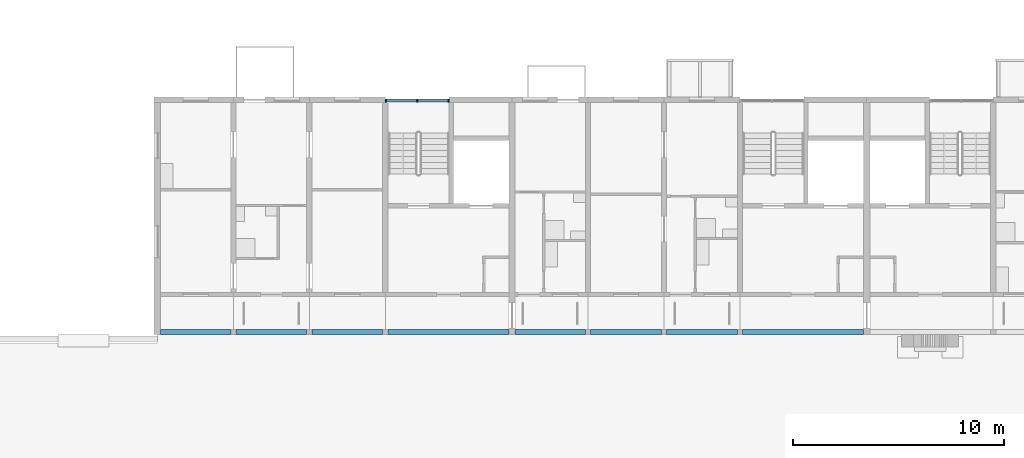
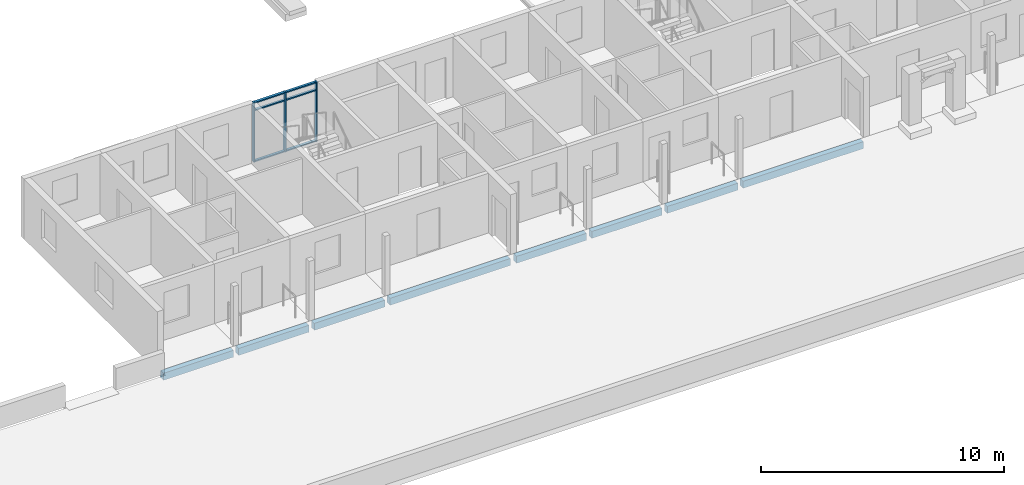
# One storey, part 10 of 115: 9 members, 8 beams, 1 element without a shape of its own.
"""IFC4 building model written with IfcOpenShell, lengths in metres."""

from ifc_helpers import new_model, si_unit, direction, frame, origin, origin_2d, place, context, subcontext, project, spatial, rectangle, extrude, material, material_profile, profile_set, type_object, element, aggregate, save


model = new_model("IFC4")

# Units and contexts
model_context = context("Model", 3, precision=1e-05, world=origin(), true_north=direction((0.0, 1.0)))
body_context = subcontext(model_context, "Body", "Model", "MODEL_VIEW")
ifc_project = project(units=[si_unit("LENGTHUNIT", "METRE"), si_unit("AREAUNIT", "SQUARE_METRE"), si_unit("VOLUMEUNIT", "CUBIC_METRE"), si_unit("PLANEANGLEUNIT", "RADIAN"), si_unit("MASSUNIT", "GRAM", prefix="KILO")], contexts=[model_context])

# Site, building, storey
site_placement = place(None, origin())
site = spatial("IfcSite", under=ifc_project, at=site_placement, CompositionType="ELEMENT")
building_placement = place(site_placement, origin())
building = spatial("IfcBuilding", under=site, at=building_placement, Name="Ridgestep Commons", CompositionType="ELEMENT")
storey_placement = place(building_placement, frame((0.0, 0.0, 6.0)))
storey = spatial("IfcBuildingStorey", under=building, at=storey_placement, Name="L02", CompositionType="ELEMENT", Elevation=6.0)

# Beams
ifc_material_1 = material(Name="Precast concrete C40/50", Category="concrete")
ifc_material_profile_1 = material_profile(ifc_material_1, rectangle(XDim=0.25, YDim=0.35009765625, at=origin_2d()), Name="PC 250x350")
ifc_profile_set_1 = profile_set([ifc_material_profile_1], Name="Precast concrete C40/50")
beam_type = type_object("IfcBeamType", Name="Loggia edge beam 250 x 350", PredefinedType="SPANDREL", material=ifc_profile_set_1)
beam_1_placement = place(storey_placement, frame((12.14990234375, 11.875, -0.375), z_axis=(1.0, 0.0, 0.0), x_axis=(0.0, 1.0, 0.0)))
element("IfcBeam", 1, at=beam_1_placement, inside=storey, type_object=beam_type, Name="Loggia edge beam A1T1 L02", PredefinedType="SPANDREL", context=body_context, shape_type="SweptSolid", body=[
    extrude(rectangle(XDim=0.25, YDim=0.35009765625, at=origin_2d()), origin(), (0.0, 0.0, 1.0), 3.3251953125),
])
beam_2_placement = place(storey_placement, frame((15.72509765625, 11.875, -0.375), z_axis=(1.0, 0.0, 0.0), x_axis=(0.0, 1.0, 0.0)))
element("IfcBeam", 2, at=beam_2_placement, inside=storey, type_object=beam_type, Name="Loggia edge beam A1T2 L02", PredefinedType="SPANDREL", context=body_context, shape_type="SweptSolid", body=[
    extrude(rectangle(XDim=0.25, YDim=0.35009765625, at=origin_2d()), origin(), (0.0, 0.0, 1.0), 3.349853515625),
])
beam_3_placement = place(storey_placement, frame((19.324951171875, 11.875, -0.375), z_axis=(1.0, 0.0, 0.0), x_axis=(0.0, 1.0, 0.0)))
element("IfcBeam", 3, at=beam_3_placement, inside=storey, type_object=beam_type, Name="Loggia edge beam A1T3 L02", PredefinedType="SPANDREL", context=body_context, shape_type="SweptSolid", body=[
    extrude(rectangle(XDim=0.25, YDim=0.35009765625, at=origin_2d()), origin(), (0.0, 0.0, 1.0), 3.35009765625),
])
beam_4_placement = place(storey_placement, frame((22.925048828125, 11.875, -0.375), z_axis=(1.0, 0.0, 0.0), x_axis=(0.0, 1.0, 0.0)))
element("IfcBeam", 4, at=beam_4_placement, inside=storey, type_object=beam_type, Name="Loggia edge beam A1C L02", PredefinedType="SPANDREL", context=body_context, shape_type="SweptSolid", body=[
    extrude(rectangle(XDim=0.25, YDim=0.35009765625, at=origin_2d()), origin(), (0.0, 0.0, 1.0), 5.724853515625),
])
beam_5_placement = place(storey_placement, frame((28.949951171875, 11.875, -0.375), z_axis=(1.0, 0.0, 0.0), x_axis=(0.0, 1.0, 0.0)))
element("IfcBeam", 5, at=beam_5_placement, inside=storey, type_object=beam_type, Name="Loggia edge beam A2T1 L02", PredefinedType="SPANDREL", context=body_context, shape_type="SweptSolid", body=[
    extrude(rectangle(XDim=0.25, YDim=0.35009765625, at=origin_2d()), origin(), (0.0, 0.0, 1.0), 3.324951171875),
])
for number, where, z_axis, x_axis, name in (
    (6, (32.52490234375, 11.875, -0.375), (1.0, 0.0, 0.0), (0.0, 1.0, 0.0), "Loggia edge beam A2T2 L02"),
    (7, (36.125, 11.875, -0.375), (1.0, 0.0, 0.0), (0.0, 1.0, 0.0), "Loggia edge beam A2T3 L02"),
):
    element("IfcBeam", number, at=place(storey_placement, frame(where, z_axis=z_axis, x_axis=x_axis)), inside=storey, type_object=beam_type, Name=name, PredefinedType="SPANDREL", context=body_context, shape_type="SweptSolid", body=[
        extrude(rectangle(XDim=0.25, YDim=0.35009765625, at=origin_2d()), origin(), (0.0, 0.0, 1.0), 3.35009765625),
    ])
beam_6_placement = place(storey_placement, frame((39.72509765625, 11.875, -0.375), z_axis=(1.0, 0.0, 0.0), x_axis=(0.0, 1.0, 0.0)))
element("IfcBeam", 8, at=beam_6_placement, inside=storey, type_object=beam_type, Name="Loggia edge beam A2C L02", PredefinedType="SPANDREL", context=body_context, shape_type="SweptSolid", body=[
    extrude(rectangle(XDim=0.25, YDim=0.35009765625, at=origin_2d()), origin(), (0.0, 0.0, 1.0), 5.724853515625),
])

# Curtain wall, members
ifc_material_2 = material(Name="Aluminium 6063-T6 and glass", Category="aluminium")
curtain_wall_type = type_object("IfcCurtainWallType", Name="Curtain wall stair strip", PredefinedType="NOTDEFINED", material=ifc_material_2)
curtain_wall_placement = place(storey_placement, origin())
curtain_wall = element("IfcCurtainWall", 9, at=curtain_wall_placement, inside=storey, type_object=curtain_wall_type, Name="Curtain wall A1C level 02", PredefinedType="NOTDEFINED")
ifc_material_3 = material(Name="Aluminium 6063-T6", Category="aluminium")
ifc_material_profile_2 = material_profile(ifc_material_3, rectangle(XDim=0.159912109375, YDim=0.06005859375, at=origin_2d()), Name="Mullion 60 x 160")
ifc_profile_set_2 = profile_set([ifc_material_profile_2], Name="Aluminium 6063-T6")
member_type_1 = type_object("IfcMemberType", Name="Mullion 60 x 160", PredefinedType="MULLION", material=ifc_profile_set_2)
member_1_placement = place(storey_placement, frame((22.830078125, 22.830078125, 0.0), z_axis=(0.0, 0.0, 1.0), x_axis=(0.0, 1.0, 0.0)))
member_1 = element("IfcMember", 10, at=member_1_placement, type_object=member_type_1, Name="CW1 mullion 1", PredefinedType="MULLION", context=body_context, shape_type="SweptSolid", body=[
    extrude(rectangle(XDim=0.159912109375, YDim=0.06005859375, at=origin_2d()), origin(), (0.0, 0.0, 1.0), 3.0),
])
member_2_placement = place(storey_placement, frame((24.3125, 22.830078125, 0.0), z_axis=(0.0, 0.0, 1.0), x_axis=(0.0, 1.0, 0.0)))
member_2 = element("IfcMember", 11, at=member_2_placement, type_object=member_type_1, Name="CW1 mullion 2", PredefinedType="MULLION", context=body_context, shape_type="SweptSolid", body=[
    extrude(rectangle(XDim=0.159912109375, YDim=0.06005859375, at=origin_2d()), origin(), (0.0, 0.0, 1.0), 3.0),
])
member_3_placement = place(storey_placement, frame((25.794921875, 22.830078125, 0.0), z_axis=(0.0, 0.0, 1.0), x_axis=(0.0, 1.0, 0.0)))
member_3 = element("IfcMember", 12, at=member_3_placement, type_object=member_type_1, Name="CW1 mullion 3", PredefinedType="MULLION", context=body_context, shape_type="SweptSolid", body=[
    extrude(rectangle(XDim=0.159912109375, YDim=0.06005859375, at=origin_2d()), origin(), (0.0, 0.0, 1.0), 3.0),
])
ifc_material_4 = material(Name="Aluminium 6063-T6", Category="aluminium")
ifc_material_profile_3 = material_profile(ifc_material_4, rectangle(XDim=0.1201171875, YDim=0.06005859375, at=origin_2d()), Name="Transom 60 x 120")
ifc_profile_set_3 = profile_set([ifc_material_profile_3], Name="Aluminium 6063-T6")
member_type_2 = type_object("IfcMemberType", Name="Transom 60 x 120", PredefinedType="USERDEFINED", material=ifc_profile_set_3)
member_4_placement = place(storey_placement, frame((22.860107421875, 22.830078125, 0.030029296875), z_axis=(1.0, 0.0, 0.0), x_axis=(0.0, 1.0, 0.0)))
member_4 = element("IfcMember", 13, at=member_4_placement, type_object=member_type_2, Name="CW1 transom 1.1", ObjectType="TRANSOM", PredefinedType="USERDEFINED", context=body_context, shape_type="SweptSolid", body=[
    extrude(rectangle(XDim=0.1201171875, YDim=0.06005859375, at=origin_2d()), origin(), (0.0, 0.0, 1.0), 1.42236328125),
])
member_5_placement = place(storey_placement, frame((22.860107421875, 22.830078125, 2.590087890625), z_axis=(1.0, 0.0, 0.0), x_axis=(0.0, 1.0, 0.0)))
member_5 = element("IfcMember", 14, at=member_5_placement, type_object=member_type_2, Name="CW1 transom 1.2", ObjectType="TRANSOM", PredefinedType="USERDEFINED", context=body_context, shape_type="SweptSolid", body=[
    extrude(rectangle(XDim=0.1201171875, YDim=0.06005859375, at=origin_2d()), origin(), (0.0, 0.0, 1.0), 1.42236328125),
])
member_6_placement = place(storey_placement, frame((22.860107421875, 22.830078125, 2.969970703125), z_axis=(1.0, 0.0, 0.0), x_axis=(0.0, 1.0, 0.0)))
member_6 = element("IfcMember", 15, at=member_6_placement, type_object=member_type_2, Name="CW1 transom 1.3", ObjectType="TRANSOM", PredefinedType="USERDEFINED", context=body_context, shape_type="SweptSolid", body=[
    extrude(rectangle(XDim=0.1201171875, YDim=0.06005859375, at=origin_2d()), origin(), (0.0, 0.0, 1.0), 1.42236328125),
])
member_7_placement = place(storey_placement, frame((24.342529296875, 22.830078125, 0.030029296875), z_axis=(1.0, 0.0, 0.0), x_axis=(0.0, 1.0, 0.0)))
member_7 = element("IfcMember", 16, at=member_7_placement, type_object=member_type_2, Name="CW1 transom 2.1", ObjectType="TRANSOM", PredefinedType="USERDEFINED", context=body_context, shape_type="SweptSolid", body=[
    extrude(rectangle(XDim=0.1201171875, YDim=0.06005859375, at=origin_2d()), origin(), (0.0, 0.0, 1.0), 1.42236328125),
])
member_8_placement = place(storey_placement, frame((24.342529296875, 22.830078125, 2.590087890625), z_axis=(1.0, 0.0, 0.0), x_axis=(0.0, 1.0, 0.0)))
member_8 = element("IfcMember", 17, at=member_8_placement, type_object=member_type_2, Name="CW1 transom 2.2", ObjectType="TRANSOM", PredefinedType="USERDEFINED", context=body_context, shape_type="SweptSolid", body=[
    extrude(rectangle(XDim=0.1201171875, YDim=0.06005859375, at=origin_2d()), origin(), (0.0, 0.0, 1.0), 1.42236328125),
])
member_9_placement = place(storey_placement, frame((24.342529296875, 22.830078125, 2.969970703125), z_axis=(1.0, 0.0, 0.0), x_axis=(0.0, 1.0, 0.0)))
member_9 = element("IfcMember", 18, at=member_9_placement, type_object=member_type_2, Name="CW1 transom 2.3", ObjectType="TRANSOM", PredefinedType="USERDEFINED", context=body_context, shape_type="SweptSolid", body=[
    extrude(rectangle(XDim=0.1201171875, YDim=0.06005859375, at=origin_2d()), origin(), (0.0, 0.0, 1.0), 1.42236328125),
])
aggregate(curtain_wall, [member_1, member_2, member_3, member_4, member_5, member_6, member_7, member_8, member_9])

save(model, "model.ifc")
